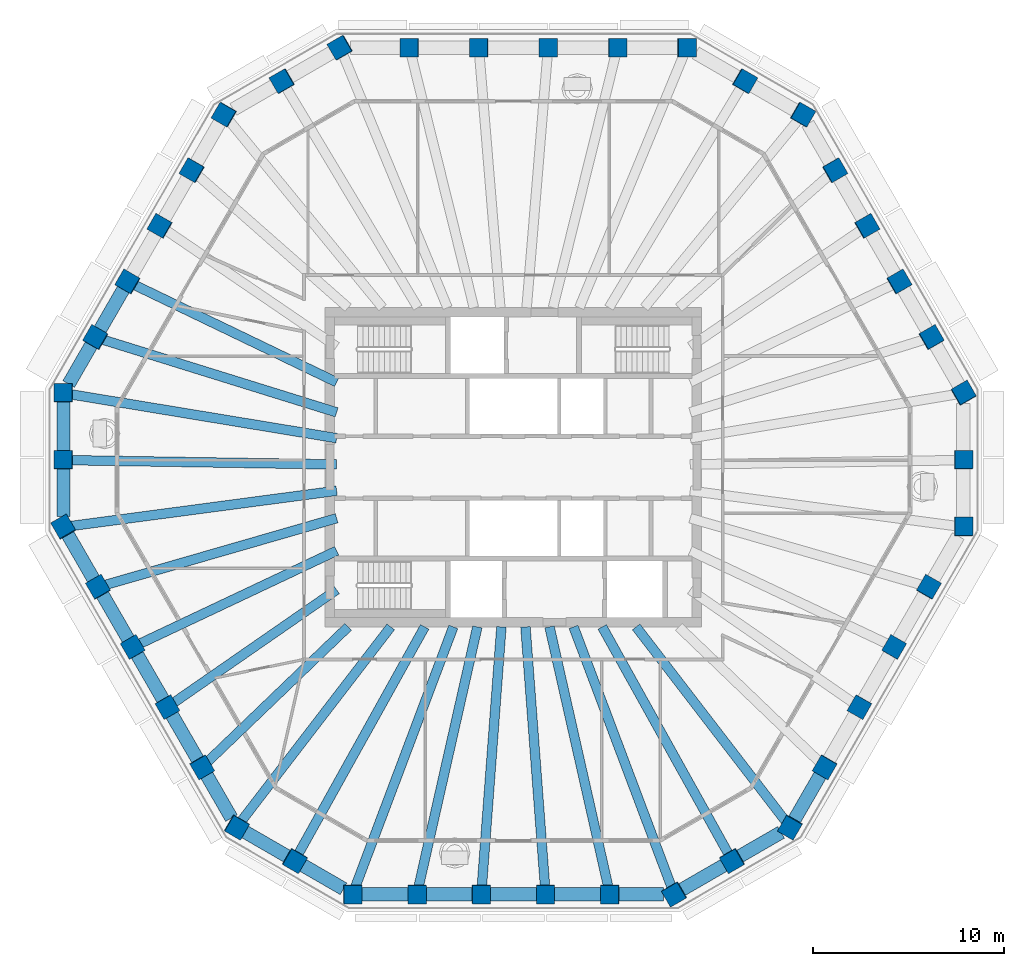
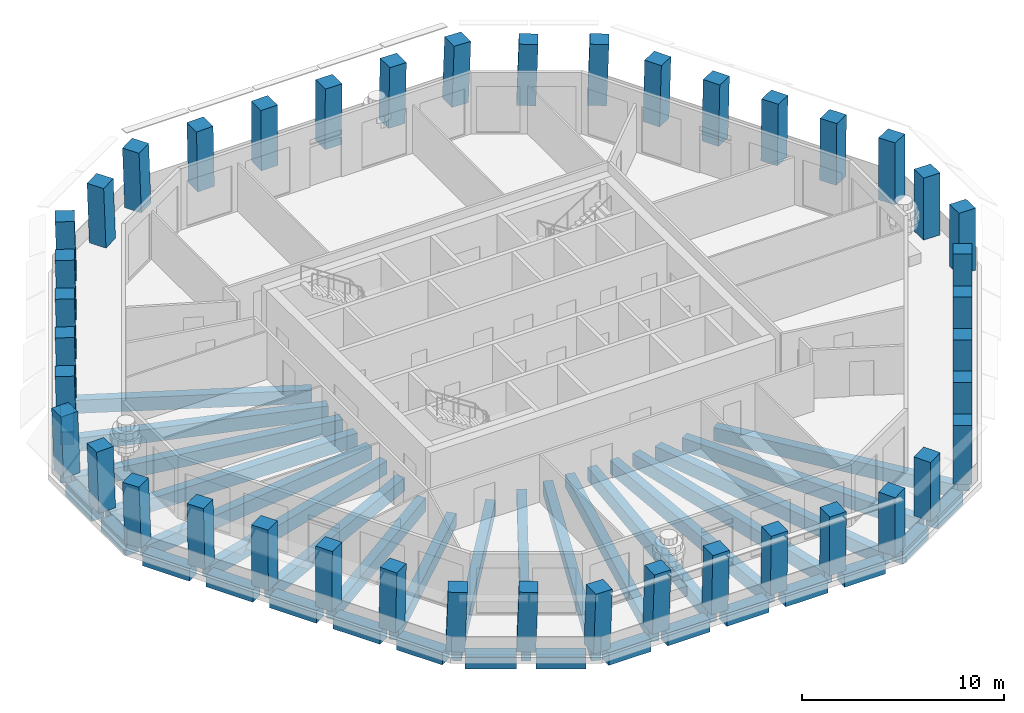
# One storey, part 1 of 11: 42 columns, 38 beams.
"""IFC4 building model written with IfcOpenShell, lengths in metres."""

from ifc_helpers import new_model, si_unit, direction, frame, origin, origin_2d, place, context, subcontext, project, spatial, rectangle, extrude, material, material_profile, profile_set, type_object, element, save


model = new_model("IFC4")

# Units and contexts
model_context = context("Model", 3, precision=1e-05, world=origin(), true_north=direction((0.0, 1.0)))
body_context = subcontext(model_context, "Body", "Model", "MODEL_VIEW")
ifc_project = project(units=[si_unit("LENGTHUNIT", "METRE"), si_unit("AREAUNIT", "SQUARE_METRE"), si_unit("VOLUMEUNIT", "CUBIC_METRE"), si_unit("PLANEANGLEUNIT", "RADIAN"), si_unit("MASSUNIT", "GRAM", prefix="KILO")], contexts=[model_context])

# Site, building, storey
site_placement = place(None, origin())
site = spatial("IfcSite", under=ifc_project, at=site_placement, CompositionType="ELEMENT")
building_placement = place(site_placement, origin())
building = spatial("IfcBuilding", under=site, at=building_placement, Name="Frailejon Research Tower", CompositionType="ELEMENT")
storey_placement = place(building_placement, frame((0.0, 0.0, 275.0)))
storey = spatial("IfcBuildingStorey", under=building, at=storey_placement, Name="L60", CompositionType="ELEMENT", Elevation=275.0)

# Columns
ifc_material_1 = material(Name="Concrete C50/60", Category="concrete")
ifc_material_profile_1 = material_profile(ifc_material_1, rectangle(XDim=0.949951171875, YDim=0.949951171875, at=origin_2d()), Name="Column 950")
ifc_profile_set_1 = profile_set([ifc_material_profile_1], Name="Concrete C50/60")
column_type = type_object("IfcColumnType", Name="Column 950", PredefinedType="COLUMN", material=ifc_profile_set_1)
for number, where, z_axis, x_axis, name in (
    (1, (23.54150390625, -3.124755859375, 0.0), (0.018115165867, 0.031417446337, 0.999342176049), (-0.001297375745, 0.999506085267, -0.031399081689), "Column C01"),
    (2, (23.54150390625, 0.377197265625, 0.0), (0.018115203871, 0.031350666477, 0.999344272561), (-0.000374749584, 0.999508428335, -0.031349023127), "Column C02"),
    (3, (23.54150390625, 3.879150390625, 0.0), (0.018115165867, 0.031417446337, 0.999342176049), (-0.501041092948, 0.865233799715, -0.018118913022), "Column C03"),
):
    element("IfcColumn", number, at=place(storey_placement, frame(where, z_axis=z_axis, x_axis=x_axis)), inside=storey, type_object=column_type, Name=name, PredefinedType="COLUMN", context=body_context, shape_type="SweptSolid", body=[
        extrude(rectangle(XDim=0.949951171875, YDim=0.949951171875, at=origin_2d()), origin(), (0.0, 0.0, 1.0), 3.65234375),
    ])
column_1_placement = place(storey_placement, frame((21.859375, 6.79296875, 0.0), z_axis=(0.021727164481, 0.02506980517, 0.999449566107), x_axis=(-0.500266190079, 0.865803780998, -0.010842134187)))
element("IfcColumn", 4, at=column_1_placement, inside=storey, type_object=column_type, Name="Column C04", PredefinedType="COLUMN", context=body_context, shape_type="SweptSolid", body=[
    extrude(rectangle(XDim=0.949951171875, YDim=0.949951171875, at=origin_2d()), origin(), (0.0, 0.0, 1.0), 3.65185546875),
])
for number, where, z_axis, x_axis, name in (
    (5, (20.177001953125, 9.706787109375, 0.0), (0.025405368728, 0.018786601612, 0.999500690765), (-0.498611651915, 0.866817929973, -0.00361895723), "Column C05"),
    (6, (18.49462890625, 12.62060546875, 0.0), (0.029015607672, 0.01250211667, 0.99950077118), (-0.498793928178, 0.866712971966, 0.003638878868), "Column C06"),
):
    element("IfcColumn", number, at=place(storey_placement, frame(where, z_axis=z_axis, x_axis=x_axis)), inside=storey, type_object=column_type, Name=name, PredefinedType="COLUMN", context=body_context, shape_type="SweptSolid", body=[
        extrude(rectangle(XDim=0.949951171875, YDim=0.949951171875, at=origin_2d()), origin(), (0.0, 0.0, 1.0), 3.651611328125),
    ])
column_2_placement = place(storey_placement, frame((16.8125, 15.5341796875, 0.0), z_axis=(0.032624119908, 0.006284154245, 0.999447935715), x_axis=(-0.499519656776, 0.866234493798, 0.010858832782)))
element("IfcColumn", 7, at=column_2_placement, inside=storey, type_object=column_type, Name="Column C07", PredefinedType="COLUMN", context=body_context, shape_type="SweptSolid", body=[
    extrude(rectangle(XDim=0.949951171875, YDim=0.949951171875, at=origin_2d()), origin(), (0.0, 0.0, 1.0), 3.65185546875),
])
for number, where, z_axis, x_axis, name in (
    (8, (15.130126953125, 18.447998046875, 0.0), (0.036297136169, 0.0, 0.99934104184), (-0.865312543657, 0.500246354177, 0.031429077673), "Column C08"),
    (9, (12.097412109375, 20.198974609375, 0.0), (0.036230378439, 0.0, 0.99934346432), (-0.865314641241, 0.500246354177, 0.031371273281), "Column C09"),
    (10, (9.064697265625, 21.949951171875, 0.0), (0.036230378439, 0.0, 0.99934346432), (-0.99934346432, 0.0, 0.036230378439), "Column C10"),
):
    element("IfcColumn", number, at=place(storey_placement, frame(where, z_axis=z_axis, x_axis=x_axis)), inside=storey, type_object=column_type, Name=name, PredefinedType="COLUMN", context=body_context, shape_type="SweptSolid", body=[
        extrude(rectangle(XDim=0.949951171875, YDim=0.949951171875, at=origin_2d()), origin(), (0.0, 0.0, 1.0), 3.65234375),
    ])
column_3_placement = place(storey_placement, frame((5.438720703125, 21.949951171875, 0.0), z_axis=(0.021800837506, 0.0, 0.999762333499), x_axis=(-0.999762333499, 0.0, 0.021800837506)))
element("IfcColumn", 11, at=column_3_placement, inside=storey, type_object=column_type, Name="Column C11", PredefinedType="COLUMN", context=body_context, shape_type="SweptSolid", body=[
    extrude(rectangle(XDim=0.949951171875, YDim=0.949951171875, at=origin_2d()), origin(), (0.0, 0.0, 1.0), 3.65087890625),
])
for number, where, z_axis, x_axis, name in (
    (12, (1.81298828125, 21.949951171875, 0.0), (0.007223891772, 0.0, 0.999973907353), (-0.999973907353, 0.0, 0.007223891772), "Column C12"),
    (13, (-1.81298828125, 21.949951171875, 0.0), (-0.007223891772, 0.0, 0.999973907353), (-0.999973907353, 0.0, -0.007223891772), "Column C13"),
):
    element("IfcColumn", number, at=place(storey_placement, frame(where, z_axis=z_axis, x_axis=x_axis)), inside=storey, type_object=column_type, Name=name, PredefinedType="COLUMN", context=body_context, shape_type="SweptSolid", body=[
        extrude(rectangle(XDim=0.949951171875, YDim=0.949951171875, at=origin_2d()), origin(), (0.0, 0.0, 1.0), 3.64990234375),
    ])
column_4_placement = place(storey_placement, frame((-5.438720703125, 21.949951171875, 0.0), z_axis=(-0.021800837506, 0.0, 0.999762333499), x_axis=(-0.999762333499, 0.0, -0.021800837506)))
element("IfcColumn", 14, at=column_4_placement, inside=storey, type_object=column_type, Name="Column C14", PredefinedType="COLUMN", context=body_context, shape_type="SweptSolid", body=[
    extrude(rectangle(XDim=0.949951171875, YDim=0.949951171875, at=origin_2d()), origin(), (0.0, 0.0, 1.0), 3.65087890625),
])
for number, where, z_axis, x_axis, name in (
    (15, (-9.064697265625, 21.949951171875, 0.0), (-0.036230378439, 0.0, 0.99934346432), (-0.865314641241, -0.500246354177, -0.031371273281), "Column C15"),
    (16, (-12.097412109375, 20.198974609375, 0.0), (-0.036230378439, 0.0, 0.99934346432), (-0.865314641241, -0.500246354177, -0.031371273281), "Column C16"),
    (17, (-15.130126953125, 18.447998046875, 0.0), (-0.036297136169, 0.0, 0.99934104184), (-0.49942428864, -0.866167613071, -0.018139624664), "Column C17"),
):
    element("IfcColumn", number, at=place(storey_placement, frame(where, z_axis=z_axis, x_axis=x_axis)), inside=storey, type_object=column_type, Name=name, PredefinedType="COLUMN", context=body_context, shape_type="SweptSolid", body=[
        extrude(rectangle(XDim=0.949951171875, YDim=0.949951171875, at=origin_2d()), origin(), (0.0, 0.0, 1.0), 3.65234375),
    ])
column_5_placement = place(storey_placement, frame((-16.8125, 15.5341796875, 0.0), z_axis=(-0.032624119908, 0.006284154245, 0.999447935715), x_axis=(-0.499519656776, -0.866234493798, -0.010858832782)))
element("IfcColumn", 18, at=column_5_placement, inside=storey, type_object=column_type, Name="Column C18", PredefinedType="COLUMN", context=body_context, shape_type="SweptSolid", body=[
    extrude(rectangle(XDim=0.949951171875, YDim=0.949951171875, at=origin_2d()), origin(), (0.0, 0.0, 1.0), 3.65185546875),
])
for number, where, z_axis, x_axis, name in (
    (19, (-18.49462890625, 12.62060546875, 0.0), (-0.029015607672, 0.01250211667, 0.99950077118), (-0.498793928178, -0.866712971966, -0.003638878868), "Column C19"),
    (20, (-20.177001953125, 9.706787109375, 0.0), (-0.025405368728, 0.018786601612, 0.999500690765), (-0.498611651915, -0.866817929973, 0.00361895723), "Column C20"),
):
    element("IfcColumn", number, at=place(storey_placement, frame(where, z_axis=z_axis, x_axis=x_axis)), inside=storey, type_object=column_type, Name=name, PredefinedType="COLUMN", context=body_context, shape_type="SweptSolid", body=[
        extrude(rectangle(XDim=0.949951171875, YDim=0.949951171875, at=origin_2d()), origin(), (0.0, 0.0, 1.0), 3.651611328125),
    ])
column_6_placement = place(storey_placement, frame((-21.859375, 6.79296875, 0.0), z_axis=(-0.021727164481, 0.02506980517, 0.999449566107), x_axis=(-0.500266190079, -0.865803780998, 0.010842134187)))
element("IfcColumn", 21, at=column_6_placement, inside=storey, type_object=column_type, Name="Column C21", PredefinedType="COLUMN", context=body_context, shape_type="SweptSolid", body=[
    extrude(rectangle(XDim=0.949951171875, YDim=0.949951171875, at=origin_2d()), origin(), (0.0, 0.0, 1.0), 3.65185546875),
])
for number, where, z_axis, x_axis, name in (
    (22, (-23.54150390625, 3.879150390625, 0.0), (-0.018115165867, 0.031417446337, 0.999342176049), (-0.001297375745, -0.999506085267, 0.031399081689), "Column C22"),
    (23, (-23.54150390625, 0.377197265625, 0.0), (-0.018115203871, 0.031350666477, 0.999344272561), (-0.000374749584, -0.999508428335, 0.031349023127), "Column C23"),
    (24, (-23.54150390625, -3.124755859375, 0.0), (-0.018115165867, 0.031417446337, 0.999342176049), (0.499040470376, -0.865819492615, 0.036265894916), "Column C24"),
):
    element("IfcColumn", number, at=place(storey_placement, frame(where, z_axis=z_axis, x_axis=x_axis)), inside=storey, type_object=column_type, Name=name, PredefinedType="COLUMN", context=body_context, shape_type="SweptSolid", body=[
        extrude(rectangle(XDim=0.949951171875, YDim=0.949951171875, at=origin_2d()), origin(), (0.0, 0.0, 1.0), 3.65234375),
    ])
column_7_placement = place(storey_placement, frame((-21.728515625, -6.264892578125, 0.0), z_axis=(-0.010900423214, 0.018858400897, 0.999762742599), x_axis=(0.499728924135, -0.865907930491, 0.021782063614)))
element("IfcColumn", 25, at=column_7_placement, inside=storey, type_object=column_type, Name="Column C25", PredefinedType="COLUMN", context=body_context, shape_type="SweptSolid", body=[
    extrude(rectangle(XDim=0.949951171875, YDim=0.949951171875, at=origin_2d()), origin(), (0.0, 0.0, 1.0), 3.65087890625),
])
for number, where, z_axis, x_axis, name in (
    (26, (-19.915771484375, -9.405029296875, 0.0), (-0.003611945175, 0.00628746012, 0.999973710503), (0.499382072477, -0.866351526517, 0.007251081967), "Column C26"),
    (27, (-18.102783203125, -12.544921875, 0.0), (0.003611943648, -0.006354345307, 0.999973287723), (0.495427452012, -0.86861856765, -0.007309153601), "Column C27"),
):
    element("IfcColumn", number, at=place(storey_placement, frame(where, z_axis=z_axis, x_axis=x_axis)), inside=storey, type_object=column_type, Name=name, PredefinedType="COLUMN", context=body_context, shape_type="SweptSolid", body=[
        extrude(rectangle(XDim=0.949951171875, YDim=0.949951171875, at=origin_2d()), origin(), (0.0, 0.0, 1.0), 3.64990234375),
    ])
column_8_placement = place(storey_placement, frame((-16.289794921875, -15.68505859375, 0.0), z_axis=(0.010900423214, -0.018858400897, 0.999762742599), x_axis=(0.499728924135, -0.865907930491, -0.021782063614)))
element("IfcColumn", 28, at=column_8_placement, inside=storey, type_object=column_type, Name="Column C28", PredefinedType="COLUMN", context=body_context, shape_type="SweptSolid", body=[
    extrude(rectangle(XDim=0.949951171875, YDim=0.949951171875, at=origin_2d()), origin(), (0.0, 0.0, 1.0), 3.65087890625),
])
for number, where, z_axis, x_axis, name in (
    (29, (-14.47705078125, -18.8251953125, 0.0), (0.018115165867, -0.031417446337, 0.999342176049), (0.865519692755, -0.499889378995, -0.031404939456), "Column C29"),
    (30, (-11.444091796875, -20.576171875, 0.0), (0.018115165867, -0.031417446337, 0.999342176049), (0.865519692755, -0.499889378995, -0.031404939456), "Column C30"),
    (31, (-8.411376953125, -22.3271484375, 0.0), (0.018115165867, -0.031417446337, 0.999342176049), (0.999835642796, -0.000157281862, -0.01812905563), "Column C31"),
):
    element("IfcColumn", number, at=place(storey_placement, frame(where, z_axis=z_axis, x_axis=x_axis)), inside=storey, type_object=column_type, Name=name, PredefinedType="COLUMN", context=body_context, shape_type="SweptSolid", body=[
        extrude(rectangle(XDim=0.949951171875, YDim=0.949951171875, at=origin_2d()), origin(), (0.0, 0.0, 1.0), 3.65234375),
    ])
column_9_placement = place(storey_placement, frame((-5.046875, -22.3271484375, 0.0), z_axis=(0.010896978963, -0.031420736888, 0.99944684358), x_axis=(0.99994040428, 0.001008258557, -0.0108706625)))
element("IfcColumn", 32, at=column_9_placement, inside=storey, type_object=column_type, Name="Column C32", PredefinedType="COLUMN", context=body_context, shape_type="SweptSolid", body=[
    extrude(rectangle(XDim=0.949951171875, YDim=0.949951171875, at=origin_2d()), origin(), (0.0, 0.0, 1.0), 3.65185546875),
])
for number, where, z_axis, x_axis, name in (
    (33, (-1.682373046875, -22.3271484375, 0.0), (0.003610232938, -0.031422397791, 0.999499674405), (0.999993379572, -0.000341341874, -0.00362274737), "Column C33"),
    (34, (1.682373046875, -22.3271484375, 0.0), (-0.003610232938, -0.031422397791, 0.999499674405), (0.999993379572, 0.000341341874, 0.00362274737), "Column C34"),
):
    element("IfcColumn", number, at=place(storey_placement, frame(where, z_axis=z_axis, x_axis=x_axis)), inside=storey, type_object=column_type, Name=name, PredefinedType="COLUMN", context=body_context, shape_type="SweptSolid", body=[
        extrude(rectangle(XDim=0.949951171875, YDim=0.949951171875, at=origin_2d()), origin(), (0.0, 0.0, 1.0), 3.651611328125),
    ])
column_10_placement = place(storey_placement, frame((5.046875, -22.3271484375, 0.0), z_axis=(-0.010896978963, -0.031420736888, 0.99944684358), x_axis=(0.99994040428, -0.001008258557, 0.0108706625)))
element("IfcColumn", 35, at=column_10_placement, inside=storey, type_object=column_type, Name="Column C35", PredefinedType="COLUMN", context=body_context, shape_type="SweptSolid", body=[
    extrude(rectangle(XDim=0.949951171875, YDim=0.949951171875, at=origin_2d()), origin(), (0.0, 0.0, 1.0), 3.65185546875),
])
for number, where, z_axis, x_axis, name in (
    (36, (8.411376953125, -22.3271484375, 0.0), (-0.018115165867, -0.031417446337, 0.999342176049), (0.865519692755, 0.499889378995, 0.031404939456), "Column C36"),
    (37, (11.444091796875, -20.576171875, 0.0), (-0.018115165867, -0.031417446337, 0.999342176049), (0.865519692755, 0.499889378995, 0.031404939456), "Column C37"),
    (38, (14.47705078125, -18.8251953125, 0.0), (-0.018115165867, -0.031417446337, 0.999342176049), (0.499040470376, 0.865819492615, 0.036265894916), "Column C38"),
):
    element("IfcColumn", number, at=place(storey_placement, frame(where, z_axis=z_axis, x_axis=x_axis)), inside=storey, type_object=column_type, Name=name, PredefinedType="COLUMN", context=body_context, shape_type="SweptSolid", body=[
        extrude(rectangle(XDim=0.949951171875, YDim=0.949951171875, at=origin_2d()), origin(), (0.0, 0.0, 1.0), 3.65234375),
    ])
column_11_placement = place(storey_placement, frame((16.289794921875, -15.68505859375, 0.0), z_axis=(-0.010900423214, -0.018858400897, 0.999762742599), x_axis=(0.499728924135, 0.865907930491, 0.021782063614)))
element("IfcColumn", 39, at=column_11_placement, inside=storey, type_object=column_type, Name="Column C39", PredefinedType="COLUMN", context=body_context, shape_type="SweptSolid", body=[
    extrude(rectangle(XDim=0.949951171875, YDim=0.949951171875, at=origin_2d()), origin(), (0.0, 0.0, 1.0), 3.65087890625),
])
for number, where, z_axis, x_axis, name in (
    (40, (18.102783203125, -12.544921875, 0.0), (-0.003611943648, -0.006354345307, 0.999973287723), (0.495427452012, 0.86861856765, 0.007309153601), "Column C40"),
    (41, (19.915771484375, -9.405029296875, 0.0), (0.003611945175, 0.00628746012, 0.999973710503), (0.499382072477, 0.866351526517, -0.007251081967), "Column C41"),
):
    element("IfcColumn", number, at=place(storey_placement, frame(where, z_axis=z_axis, x_axis=x_axis)), inside=storey, type_object=column_type, Name=name, PredefinedType="COLUMN", context=body_context, shape_type="SweptSolid", body=[
        extrude(rectangle(XDim=0.949951171875, YDim=0.949951171875, at=origin_2d()), origin(), (0.0, 0.0, 1.0), 3.64990234375),
    ])
column_12_placement = place(storey_placement, frame((21.728515625, -6.264892578125, 0.0), z_axis=(0.010900423214, 0.018858400897, 0.999762742599), x_axis=(0.499728924135, 0.865907930491, -0.021782063614)))
element("IfcColumn", 42, at=column_12_placement, inside=storey, type_object=column_type, Name="Column C42", PredefinedType="COLUMN", context=body_context, shape_type="SweptSolid", body=[
    extrude(rectangle(XDim=0.949951171875, YDim=0.949951171875, at=origin_2d()), origin(), (0.0, 0.0, 1.0), 3.65087890625),
])

# Beams
ifc_material_2 = material(Name="Concrete C60/75", Category="concrete")
ifc_material_profile_2 = material_profile(ifc_material_2, rectangle(XDim=0.5, YDim=0.800048828125, at=origin_2d()), Name="Girder 500x800")
ifc_profile_set_2 = profile_set([ifc_material_profile_2], Name="Concrete C60/75")
beam_type_1 = type_object("IfcBeamType", Name="Girder 500x800", PredefinedType="BEAM", material=ifc_profile_set_2)
beam_1_placement = place(storey_placement, frame((-19.8828125, 9.565185546875, -0.699951171875), z_axis=(0.901143004074, -0.433521955854, 0.0), x_axis=(0.433521955854, 0.901143004074, 0.0)))
element("IfcBeam", 43, at=beam_1_placement, inside=storey, type_object=beam_type_1, Name="Girder 500x800", PredefinedType="BEAM", context=body_context, shape_type="SweptSolid", body=[
    extrude(rectangle(XDim=0.5, YDim=0.800048828125, at=origin_2d()), origin(), (0.0, 0.0, 1.0), 11.79931640625),
])
beam_2_placement = place(storey_placement, frame((-21.53759765625, 6.69287109375, -0.699951171875), z_axis=(0.95495479724, -0.296751301983, 0.0), x_axis=(0.296751301983, 0.95495479724, 0.0)))
element("IfcBeam", 44, at=beam_2_placement, inside=storey, type_object=beam_type_1, Name="Girder 500x800", PredefinedType="BEAM", context=body_context, shape_type="SweptSolid", body=[
    extrude(rectangle(XDim=0.5, YDim=0.800048828125, at=origin_2d()), origin(), (0.0, 0.0, 1.0), 12.8671875),
])
beam_3_placement = place(storey_placement, frame((-23.214599609375, 3.8251953125, -0.699951171875), z_axis=(0.986694831166, -0.162583240681, 0.0), x_axis=(0.162583240681, 0.986694831166, 0.0)))
element("IfcBeam", 45, at=beam_3_placement, inside=storey, type_object=beam_type_1, Name="Girder 500x800", PredefinedType="BEAM", context=body_context, shape_type="SweptSolid", body=[
    extrude(rectangle(XDim=0.5, YDim=0.800048828125, at=origin_2d()), origin(), (0.0, 0.0, 1.0), 14.15283203125),
])
beam_4_placement = place(storey_placement, frame((-23.216552734375, 0.371826171875, -0.699951171875), z_axis=(0.999871832148, -0.016009974273, 0.0), x_axis=(0.016009974273, 0.999871832148, 0.0)))
element("IfcBeam", 46, at=beam_4_placement, inside=storey, type_object=beam_type_1, Name="Girder 500x800", PredefinedType="BEAM", context=body_context, shape_type="SweptSolid", body=[
    extrude(rectangle(XDim=0.5, YDim=0.800048828125, at=origin_2d()), origin(), (0.0, 0.0, 1.0), 13.96826171875),
])
beam_5_placement = place(storey_placement, frame((-23.180908203125, -3.076904296875, -0.699951171875), z_axis=(0.991305413629, 0.131581065926, 0.0), x_axis=(-0.131581065926, 0.991305413629, 0.0)))
element("IfcBeam", 47, at=beam_5_placement, inside=storey, type_object=beam_type_1, Name="Girder 500x800", PredefinedType="BEAM", context=body_context, shape_type="SweptSolid", body=[
    extrude(rectangle(XDim=0.5, YDim=0.800048828125, at=origin_2d()), origin(), (0.0, 0.0, 1.0), 14.052978515625),
])
beam_6_placement = place(storey_placement, frame((-21.402587890625, -6.1708984375, -0.699951171875), z_axis=(0.960858282065, 0.277040361295, 0.0), x_axis=(-0.277040361295, 0.960858282065, 0.0)))
element("IfcBeam", 48, at=beam_6_placement, inside=storey, type_object=beam_type_1, Name="Girder 500x800", PredefinedType="BEAM", context=body_context, shape_type="SweptSolid", body=[
    extrude(rectangle(XDim=0.5, YDim=0.800048828125, at=origin_2d()), origin(), (0.0, 0.0, 1.0), 12.647705078125),
])
beam_7_placement = place(storey_placement, frame((-19.620361328125, -9.265380859375, -0.699951171875), z_axis=(0.904245221853, 0.427013558047, 0.0), x_axis=(-0.427013558047, 0.904245221853, 0.0)))
element("IfcBeam", 49, at=beam_7_placement, inside=storey, type_object=beam_type_1, Name="Girder 500x800", PredefinedType="BEAM", context=body_context, shape_type="SweptSolid", body=[
    extrude(rectangle(XDim=0.5, YDim=0.800048828125, at=origin_2d()), origin(), (0.0, 0.0, 1.0), 11.468505859375),
])
beam_8_placement = place(storey_placement, frame((-17.834228515625, -12.35888671875, -0.699951171875), z_axis=(0.821932068524, 0.5695855289, 0.0), x_axis=(-0.5695855289, 0.821932068524, 0.0)))
element("IfcBeam", 50, at=beam_8_placement, inside=storey, type_object=beam_type_1, Name="Girder 500x800", PredefinedType="BEAM", context=body_context, shape_type="SweptSolid", body=[
    extrude(rectangle(XDim=0.5, YDim=0.800048828125, at=origin_2d()), origin(), (0.0, 0.0, 1.0), 10.44384765625),
])
beam_9_placement = place(storey_placement, frame((-16.045166015625, -15.4501953125, -0.699951171875), z_axis=(0.72135591172, 0.692564544737, 0.0), x_axis=(-0.692564544737, 0.72135591172, 0.0)))
element("IfcBeam", 51, at=beam_9_placement, inside=storey, type_object=beam_type_1, Name="Girder 500x800", PredefinedType="BEAM", context=body_context, shape_type="SweptSolid", body=[
    extrude(rectangle(XDim=0.5, YDim=0.800048828125, at=origin_2d()), origin(), (0.0, 0.0, 1.0), 10.251953125),
])
beam_10_placement = place(storey_placement, frame((-14.2763671875, -18.564208984375, -0.699951171875), z_axis=(0.609611863644, 0.792700054059, 0.0), x_axis=(-0.792700054059, 0.609611863644, 0.0)))
element("IfcBeam", 52, at=beam_10_placement, inside=storey, type_object=beam_type_1, Name="Girder 500x800", PredefinedType="BEAM", context=body_context, shape_type="SweptSolid", body=[
    extrude(rectangle(XDim=0.5, YDim=0.800048828125, at=origin_2d()), origin(), (0.0, 0.0, 1.0), 12.88525390625),
])
beam_11_placement = place(storey_placement, frame((-11.2861328125, -20.2919921875, -0.699951171875), z_axis=(0.486060043438, 0.873925416825, 0.0), x_axis=(-0.873925416825, 0.486060043438, 0.0)))
element("IfcBeam", 53, at=beam_11_placement, inside=storey, type_object=beam_type_1, Name="Girder 500x800", PredefinedType="BEAM", context=body_context, shape_type="SweptSolid", body=[
    extrude(rectangle(XDim=0.5, YDim=0.800048828125, at=origin_2d()), origin(), (0.0, 0.0, 1.0), 13.66455078125),
])
beam_12_placement = place(storey_placement, frame((-8.285400390625, -21.992431640625, -0.699951171875), z_axis=(0.352552700525, 0.935791960509, 0.0), x_axis=(-0.935791960509, 0.352552700525, 0.0)))
element("IfcBeam", 54, at=beam_12_placement, inside=storey, type_object=beam_type_1, Name="Girder 500x800", PredefinedType="BEAM", context=body_context, shape_type="SweptSolid", body=[
    extrude(rectangle(XDim=0.5, YDim=0.800048828125, at=origin_2d()), origin(), (0.0, 0.0, 1.0), 14.578369140625),
])
beam_13_placement = place(storey_placement, frame((-4.972412109375, -21.998291015625, -0.699951171875), z_axis=(0.220472401156, 0.975393213186, 0.0), x_axis=(-0.975393213186, 0.220472401156, 0.0)))
element("IfcBeam", 55, at=beam_13_placement, inside=storey, type_object=beam_type_1, Name="Girder 500x800", PredefinedType="BEAM", context=body_context, shape_type="SweptSolid", body=[
    extrude(rectangle(XDim=0.5, YDim=0.800048828125, at=origin_2d()), origin(), (0.0, 0.0, 1.0), 13.992431640625),
])
for number, where, z_axis, x_axis, name in (
    (56, (-1.65771484375, -22.001708984375, -0.699951171875), (0.075130867601, 0.997173682331, 0.0), (-0.997173682331, 0.075130867601, 0.0), "Girder 500x800"),
    (57, (1.65771484375, -22.001708984375, -0.699951171875), (-0.075130867601, 0.997173682331, 0.0), (-0.997173682331, -0.075130867601, 0.0), "Girder 500x800"),
):
    element("IfcBeam", number, at=place(storey_placement, frame(where, z_axis=z_axis, x_axis=x_axis)), inside=storey, type_object=beam_type_1, Name=name, PredefinedType="BEAM", context=body_context, shape_type="SweptSolid", body=[
        extrude(rectangle(XDim=0.5, YDim=0.800048828125, at=origin_2d()), origin(), (0.0, 0.0, 1.0), 13.690185546875),
    ])
beam_14_placement = place(storey_placement, frame((4.972412109375, -21.998291015625, -0.699951171875), z_axis=(-0.220472401156, 0.975393213186, 0.0), x_axis=(-0.975393213186, -0.220472401156, 0.0)))
element("IfcBeam", 58, at=beam_14_placement, inside=storey, type_object=beam_type_1, Name="Girder 500x800", PredefinedType="BEAM", context=body_context, shape_type="SweptSolid", body=[
    extrude(rectangle(XDim=0.5, YDim=0.800048828125, at=origin_2d()), origin(), (0.0, 0.0, 1.0), 13.992431640625),
])
beam_15_placement = place(storey_placement, frame((8.294677734375, -22.01708984375, -0.699951171875), z_axis=(-0.352551953902, 0.935792241793, 0.0), x_axis=(-0.935792241793, -0.352551953902, 0.0)))
element("IfcBeam", 59, at=beam_15_placement, inside=storey, type_object=beam_type_1, Name="Girder 500x800", PredefinedType="BEAM", context=body_context, shape_type="SweptSolid", body=[
    extrude(rectangle(XDim=0.5, YDim=0.800048828125, at=origin_2d()), origin(), (0.0, 0.0, 1.0), 14.604736328125),
])
beam_16_placement = place(storey_placement, frame((11.2861328125, -20.2919921875, -0.699951171875), z_axis=(-0.486060043438, 0.873925416825, 0.0), x_axis=(-0.873925416825, -0.486060043438, 0.0)))
element("IfcBeam", 60, at=beam_16_placement, inside=storey, type_object=beam_type_1, Name="Girder 500x800", PredefinedType="BEAM", context=body_context, shape_type="SweptSolid", body=[
    extrude(rectangle(XDim=0.5, YDim=0.800048828125, at=origin_2d()), origin(), (0.0, 0.0, 1.0), 13.66455078125),
])
beam_17_placement = place(storey_placement, frame((14.255126953125, -18.53662109375, -0.699951171875), z_axis=(-0.609610677436, 0.792700966289, 0.0), x_axis=(-0.792700966289, -0.609610677436, 0.0)))
element("IfcBeam", 61, at=beam_17_placement, inside=storey, type_object=beam_type_1, Name="Girder 500x800", PredefinedType="BEAM", context=body_context, shape_type="SweptSolid", body=[
    extrude(rectangle(XDim=0.5, YDim=0.800048828125, at=origin_2d()), origin(), (0.0, 0.0, 1.0), 12.850341796875),
])
ifc_material_3 = material(Name="Concrete C60/75", Category="concrete")
ifc_material_profile_3 = material_profile(ifc_material_3, rectangle(XDim=0.699951171875, YDim=0.75, at=origin_2d()), Name="Spandrel 700x750")
ifc_profile_set_3 = profile_set([ifc_material_profile_3], Name="Concrete C60/75")
beam_type_2 = type_object("IfcBeamType", Name="Spandrel 700x750", PredefinedType="BEAM", material=ifc_profile_set_3)
beam_18_placement = place(storey_placement, frame((-20.41455078125, 9.29541015625, -0.72509765625), z_axis=(-0.499999616612, -0.866025625133, 0.0), x_axis=(0.866025625133, -0.499999616612, 0.0)))
element("IfcBeam", 62, at=beam_18_placement, inside=storey, type_object=beam_type_2, Name="Spandrel 700x750", PredefinedType="BEAM", context=body_context, shape_type="SweptSolid", body=[
    extrude(rectangle(XDim=0.699951171875, YDim=0.75, at=origin_2d()), origin(), (0.0, 0.0, 1.0), 2.41455078125),
])
beam_19_placement = place(storey_placement, frame((-22.0966796875, 6.381591796875, -0.72509765625), z_axis=(-0.500008291124, -0.866020616849, 0.0), x_axis=(0.866020616849, -0.500008291124, 0.0)))
element("IfcBeam", 63, at=beam_19_placement, inside=storey, type_object=beam_type_2, Name="Spandrel 700x750", PredefinedType="BEAM", context=body_context, shape_type="SweptSolid", body=[
    extrude(rectangle(XDim=0.699951171875, YDim=0.75, at=origin_2d()), origin(), (0.0, 0.0, 1.0), 2.34130859375),
])
beam_20_placement = place(storey_placement, frame((-23.54150390625, 3.404052734375, -0.72509765625), z_axis=(0.0, -1.0, 0.0), x_axis=(1.0, 0.0, 0.0)))
element("IfcBeam", 64, at=beam_20_placement, inside=storey, type_object=beam_type_2, Name="Spandrel 700x750", PredefinedType="BEAM", context=body_context, shape_type="SweptSolid", body=[
    extrude(rectangle(XDim=0.699951171875, YDim=0.75, at=origin_2d()), origin(), (0.0, 0.0, 1.0), 2.552001953125),
])
beam_21_placement = place(storey_placement, frame((-23.54150390625, -0.097900390625, -0.72509765625), z_axis=(0.0, -1.0, 0.0), x_axis=(1.0, 0.0, 0.0)))
element("IfcBeam", 65, at=beam_21_placement, inside=storey, type_object=beam_type_2, Name="Spandrel 700x750", PredefinedType="BEAM", context=body_context, shape_type="SweptSolid", body=[
    extrude(rectangle(XDim=0.699951171875, YDim=0.75, at=origin_2d()), origin(), (0.0, 0.0, 1.0), 2.478515625),
])
for number, where, z_axis, x_axis, name in (
    (66, (-23.303955078125, -3.5361328125, -0.72509765625), (0.499985715088, -0.866033651025, 0.0), (0.866033651025, 0.499985715088, 0.0), "Spandrel 700x750"),
    (67, (-21.4912109375, -6.67626953125, -0.72509765625), (0.499985715088, -0.866033651025, 0.0), (0.866033651025, 0.499985715088, 0.0), "Spandrel 700x750"),
):
    element("IfcBeam", number, at=place(storey_placement, frame(where, z_axis=z_axis, x_axis=x_axis)), inside=storey, type_object=beam_type_2, Name=name, PredefinedType="BEAM", context=body_context, shape_type="SweptSolid", body=[
        extrude(rectangle(XDim=0.699951171875, YDim=0.75, at=origin_2d()), origin(), (0.0, 0.0, 1.0), 2.67578125),
    ])
beam_22_placement = place(storey_placement, frame((-19.67822265625, -9.81640625, -0.72509765625), z_axis=(0.500025224267, -0.866010840057, 0.0), x_axis=(0.866010840057, 0.500025224267, 0.0)))
element("IfcBeam", 68, at=beam_22_placement, inside=storey, type_object=beam_type_2, Name="Spandrel 700x750", PredefinedType="BEAM", context=body_context, shape_type="SweptSolid", body=[
    extrude(rectangle(XDim=0.699951171875, YDim=0.75, at=origin_2d()), origin(), (0.0, 0.0, 1.0), 2.675537109375),
])
beam_23_placement = place(storey_placement, frame((-17.865234375, -12.956298828125, -0.72509765625), z_axis=(0.499985715088, -0.866033651025, 0.0), x_axis=(0.866033651025, 0.499985715088, 0.0)))
element("IfcBeam", 69, at=beam_23_placement, inside=storey, type_object=beam_type_2, Name="Spandrel 700x750", PredefinedType="BEAM", context=body_context, shape_type="SweptSolid", body=[
    extrude(rectangle(XDim=0.699951171875, YDim=0.75, at=origin_2d()), origin(), (0.0, 0.0, 1.0), 2.67578125),
])
beam_24_placement = place(storey_placement, frame((-16.052490234375, -16.096435546875, -0.72509765625), z_axis=(0.500033749444, -0.866005917657, 0.0), x_axis=(0.866005917657, 0.500033749444, 0.0)))
element("IfcBeam", 70, at=beam_24_placement, inside=storey, type_object=beam_type_2, Name="Spandrel 700x750", PredefinedType="BEAM", context=body_context, shape_type="SweptSolid", body=[
    extrude(rectangle(XDim=0.699951171875, YDim=0.75, at=origin_2d()), origin(), (0.0, 0.0, 1.0), 2.602294921875),
])
beam_25_placement = place(storey_placement, frame((-14.065673828125, -19.062744140625, -0.72509765625), z_axis=(0.866032638483, -0.499987468925, 0.0), x_axis=(0.499987468925, 0.866032638483, 0.0)))
element("IfcBeam", 71, at=beam_25_placement, inside=storey, type_object=beam_type_2, Name="Spandrel 700x750", PredefinedType="BEAM", context=body_context, shape_type="SweptSolid", body=[
    extrude(rectangle(XDim=0.699951171875, YDim=0.75, at=origin_2d()), origin(), (0.0, 0.0, 1.0), 2.5517578125),
])
beam_26_placement = place(storey_placement, frame((-11.03271484375, -20.813720703125, -0.72509765625), z_axis=(0.866003486907, -0.500037959224, 0.0), x_axis=(0.500037959224, 0.866003486907, 0.0)))
element("IfcBeam", 72, at=beam_26_placement, inside=storey, type_object=beam_type_2, Name="Spandrel 700x750", PredefinedType="BEAM", context=body_context, shape_type="SweptSolid", body=[
    extrude(rectangle(XDim=0.699951171875, YDim=0.75, at=origin_2d()), origin(), (0.0, 0.0, 1.0), 2.478271484375),
])
for number, where, z_axis, x_axis, name in (
    (73, (-7.936279296875, -22.3271484375, -0.72509765625), (1.0, 0.0, 0.0), (0.0, 1.0, 0.0), "Spandrel 700x750"),
    (74, (-4.57177734375, -22.3271484375, -0.72509765625), (1.0, 0.0, 0.0), (0.0, 1.0, 0.0), "Spandrel 700x750"),
    (75, (-1.207275390625, -22.3271484375, -0.72509765625), (1.0, 0.0, 0.0), (0.0, 1.0, 0.0), "Spandrel 700x750"),
    (76, (2.1572265625, -22.3271484375, -0.72509765625), (1.0, 0.0, 0.0), (0.0, 1.0, 0.0), "Spandrel 700x750"),
):
    element("IfcBeam", number, at=place(storey_placement, frame(where, z_axis=z_axis, x_axis=x_axis)), inside=storey, type_object=beam_type_2, Name=name, PredefinedType="BEAM", context=body_context, shape_type="SweptSolid", body=[
        extrude(rectangle(XDim=0.699951171875, YDim=0.75, at=origin_2d()), origin(), (0.0, 0.0, 1.0), 2.41455078125),
    ])
beam_27_placement = place(storey_placement, frame((5.521728515625, -22.3271484375, -0.72509765625), z_axis=(1.0, 0.0, 0.0), x_axis=(0.0, 1.0, 0.0)))
element("IfcBeam", 77, at=beam_27_placement, inside=storey, type_object=beam_type_2, Name="Spandrel 700x750", PredefinedType="BEAM", context=body_context, shape_type="SweptSolid", body=[
    extrude(rectangle(XDim=0.699951171875, YDim=0.75, at=origin_2d()), origin(), (0.0, 0.0, 1.0), 2.341064453125),
])
beam_28_placement = place(storey_placement, frame((8.82275390625, -22.089599609375, -0.72509765625), z_axis=(0.866032638483, 0.499987468925, 0.0), x_axis=(-0.499987468925, 0.866032638483, 0.0)))
element("IfcBeam", 78, at=beam_28_placement, inside=storey, type_object=beam_type_2, Name="Spandrel 700x750", PredefinedType="BEAM", context=body_context, shape_type="SweptSolid", body=[
    extrude(rectangle(XDim=0.699951171875, YDim=0.75, at=origin_2d()), origin(), (0.0, 0.0, 1.0), 2.5517578125),
])
beam_29_placement = place(storey_placement, frame((11.855712890625, -20.338623046875, -0.72509765625), z_axis=(0.866003486907, 0.500037959224, 0.0), x_axis=(-0.500037959224, 0.866003486907, 0.0)))
element("IfcBeam", 79, at=beam_29_placement, inside=storey, type_object=beam_type_2, Name="Spandrel 700x750", PredefinedType="BEAM", context=body_context, shape_type="SweptSolid", body=[
    extrude(rectangle(XDim=0.699951171875, YDim=0.75, at=origin_2d()), origin(), (0.0, 0.0, 1.0), 2.478271484375),
])
beam_30_placement = place(storey_placement, frame((14.714599609375, -18.413818359375, -0.72509765625), z_axis=(0.499985715088, 0.866033651025, 0.0), x_axis=(-0.866033651025, 0.499985715088, 0.0)))
element("IfcBeam", 80, at=beam_30_placement, inside=storey, type_object=beam_type_2, Name="Spandrel 700x750", PredefinedType="BEAM", context=body_context, shape_type="SweptSolid", body=[
    extrude(rectangle(XDim=0.699951171875, YDim=0.75, at=origin_2d()), origin(), (0.0, 0.0, 1.0), 2.67578125),
])

save(model, "model.ifc")
